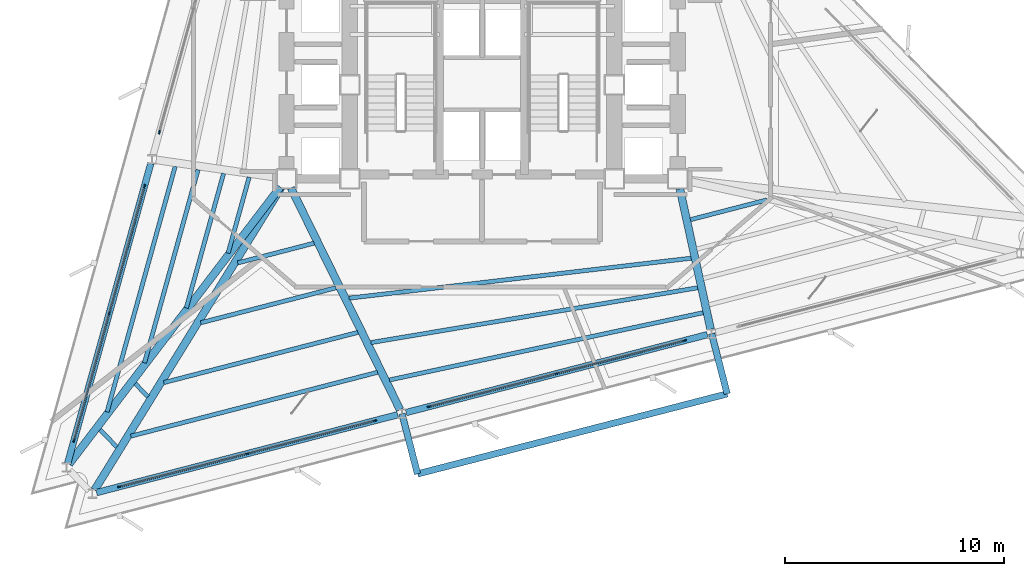
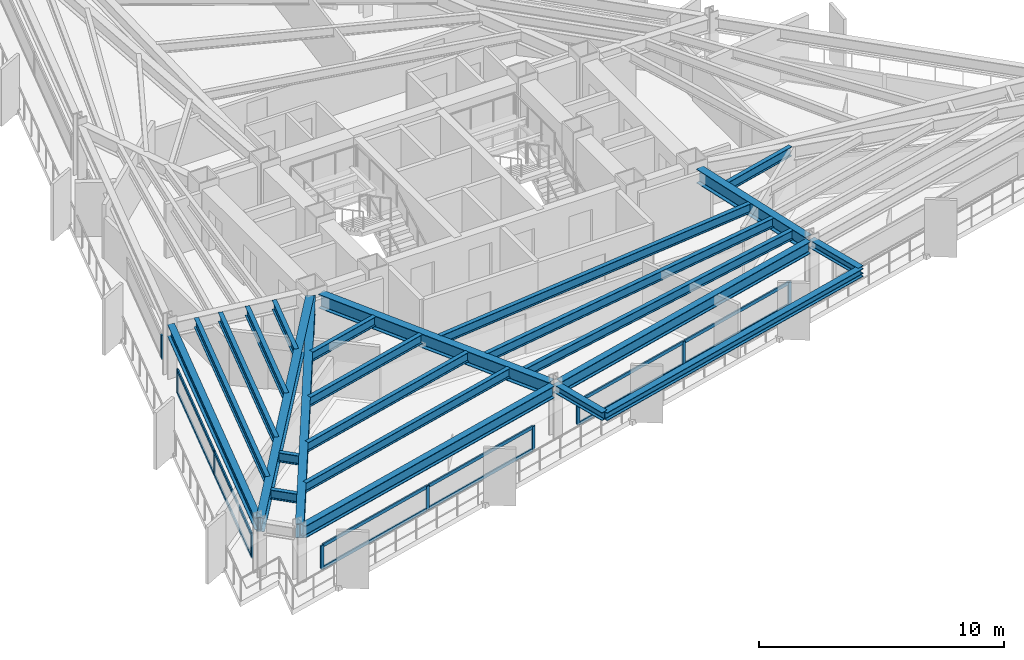
# One storey, part 2 of 11: 24 beams, 22 members, 4 elements without a shape of their own.
"""IFC4 building model written with IfcOpenShell, lengths in metres."""

import ifcopenshell
import ifcopenshell.guid

model = None  # the IFC model being written
_history = None  # IfcOwnerHistory: only IFC2X3 demands one
_inside = {}  # id of a spatial element -> (the spatial element, [elements in it])
_under = {}  # id of a project, library or spatial element -> (it, [spatial elements below it])
_declared = {}  # id of a project -> (the project, [libraries it declares])
_typed = {}  # id of a type object -> (the type object, [elements of that type])
_made_of = {}  # id of a material, layer set ... -> (it, [elements and type objects made of it])


def new_model(schema):
    """Start an empty IFC model of exactly this schema.

    Asked for "IFC4X3", IfcOpenShell would pick the latest addendum, in which some entities
    have other attributes; the version numbers below select the first issue.
    IFC2X3 requires an IfcOwnerHistory on every rooted entity: one is made here for all.
    """
    global model, _history
    if schema == "IFC4X3":
        model = ifcopenshell.file(schema_version=(4, 3, 0, 0))
    else:
        model = ifcopenshell.file(schema=schema)
    _inside.clear()
    _under.clear()
    _declared.clear()
    _typed.clear()
    _made_of.clear()
    _history = None
    if model.schema == "IFC2X3":
        org = make("IfcOrganization", Name="unknown")
        user = make(
            "IfcPersonAndOrganization",
            ThePerson=make("IfcPerson", FamilyName="unknown"),
            TheOrganization=org,
        )
        app = make(
            "IfcApplication",
            ApplicationDeveloper=org,
            Version="unknown",
            ApplicationFullName="unknown",
            ApplicationIdentifier="unknown",
        )
        _history = make(
            "IfcOwnerHistory",
            OwningUser=user,
            OwningApplication=app,
            ChangeAction="ADDED",
            CreationDate=0,
        )
    return model


def make(cls, **values):
    """One entity of the class cls with the attributes given. An attribute that is None is left unset."""
    return model.create_entity(
        cls, **{name: value for name, value in values.items() if value is not None}
    )


def rooted(cls, **values):
    """An entity with a GlobalId (a new one), such as an element, a storey or a relation."""
    return make(cls, GlobalId=ifcopenshell.guid.new(), OwnerHistory=_history, **values)


def si_unit(unit_type, name, prefix=None):
    """IfcSIUnit, for example si_unit("LENGTHUNIT", "METRE", prefix="MILLI")."""
    return make("IfcSIUnit", UnitType=unit_type, Prefix=prefix, Name=name)


def assignment(units):
    """IfcUnitAssignment: the units of a project."""
    return None if units is None else make("IfcUnitAssignment", Units=units)


def point(xyz):
    """IfcCartesianPoint."""
    return None if xyz is None else make("IfcCartesianPoint", Coordinates=xyz)


def direction(xyz):
    """IfcDirection."""
    return None if xyz is None else make("IfcDirection", DirectionRatios=xyz)


def frame(location, z_axis=None, x_axis=None):
    """IfcAxis2Placement3D, a coordinate frame: its origin and axes. An axis left out is left unset."""
    return make(
        "IfcAxis2Placement3D",
        Location=point(location),
        Axis=direction(z_axis),
        RefDirection=direction(x_axis),
    )


def frame_2d(location, x_axis=None):
    """IfcAxis2Placement2D, a coordinate frame in the plane: its origin and x axis."""
    return make(
        "IfcAxis2Placement2D", Location=point(location), RefDirection=direction(x_axis)
    )


def origin():
    """The frame at (0, 0, 0) with its axes left unset."""
    return frame((0.0, 0.0, 0.0))


def origin_2d():
    """The frame at (0, 0) in the plane with its x axis left unset."""
    return frame_2d((0.0, 0.0))


def place(relative_to, where):
    """IfcLocalPlacement: puts the frame where relative to a parent placement (None: the world)."""
    return make(
        "IfcLocalPlacement", PlacementRelTo=relative_to, RelativePlacement=where
    )


def context(
    kind, dimensions, precision=None, world=None, true_north=None, identifier=None
):
    """IfcGeometricRepresentationContext, for example the 3D "Model" context."""
    return make(
        "IfcGeometricRepresentationContext",
        ContextIdentifier=identifier,
        ContextType=kind,
        CoordinateSpaceDimension=dimensions,
        Precision=precision,
        WorldCoordinateSystem=world,
        TrueNorth=true_north,
    )


def subcontext(parent, identifier, kind, view, scale=None):
    """IfcGeometricRepresentationSubContext, for example "Body" below "Model"."""
    return make(
        "IfcGeometricRepresentationSubContext",
        ContextIdentifier=identifier,
        ContextType=kind,
        ParentContext=parent,
        TargetScale=scale,
        TargetView=view,
    )


def project(units=None, contexts=None):
    """IfcProject with its units and contexts."""
    return rooted(
        "IfcProject",
        Name="project",
        RepresentationContexts=contexts,
        UnitsInContext=assignment(units),
    )


def spatial(cls, under=None, at=None, **own):
    """A site, building, storey or space (cls), placed at a placement, below another one or the project."""
    s = rooted(cls, ObjectPlacement=at, **own)
    if under is not None:
        _under.setdefault(under.id(), (under, []))[1].append(s)
    return s


def profile(cls, at=None, kind="AREA", **sizes):
    """A parametric profile (cls). Its sizes go by their IFC names, for example OverallWidth=200.0."""
    return make(cls, ProfileType=kind, Position=at, **sizes)


def rectangle(**sizes):
    """IfcRectangleProfileDef."""
    return profile("IfcRectangleProfileDef", **sizes)


def i_section(**sizes):
    """IfcIShapeProfileDef."""
    return profile("IfcIShapeProfileDef", **sizes)


def extrude(swept, where, along, depth):
    """IfcExtrudedAreaSolid: the profile swept, set in the frame where, extruded along a direction by depth."""
    return make(
        "IfcExtrudedAreaSolid",
        SweptArea=swept,
        Position=where,
        ExtrudedDirection=direction(along),
        Depth=depth,
    )


def shape(context_of_items, identifier, shape_type, items):
    """IfcShapeRepresentation: the items that make up one representation, for example the "Body"."""
    return make(
        "IfcShapeRepresentation",
        ContextOfItems=context_of_items,
        RepresentationIdentifier=identifier,
        RepresentationType=shape_type,
        Items=items,
    )


def material(Name=None, Category=None):
    """IfcMaterial."""
    return make("IfcMaterial", Name=Name, Category=Category)


def layer(
    of_material, thickness, ventilated=None, Name=None, Category=None, Priority=None
):
    """IfcMaterialLayer: one layer of a wall or slab, of a material (None: an air gap)."""
    return make(
        "IfcMaterialLayer",
        Material=of_material,
        LayerThickness=thickness,
        IsVentilated=ventilated,
        Name=Name,
        Category=Category,
        Priority=Priority,
    )


def layer_set(layers, Name=None):
    """IfcMaterialLayerSet."""
    return make("IfcMaterialLayerSet", MaterialLayers=layers, LayerSetName=Name)


def material_profile(
    of_material, cross_section, Name=None, Category=None, Priority=None
):
    """IfcMaterialProfile: a cross section and its material."""
    return make(
        "IfcMaterialProfile",
        Name=Name,
        Material=of_material,
        Profile=cross_section,
        Priority=Priority,
        Category=Category,
    )


def profile_set(profiles, Name=None, composite=None):
    """IfcMaterialProfileSet."""
    return make(
        "IfcMaterialProfileSet",
        Name=Name,
        MaterialProfiles=profiles,
        CompositeProfile=composite,
    )


def made_of(thing, what):
    """Note that an element or type object is made of a material, layer set ...; save() writes the relation."""
    if what is not None:
        _made_of.setdefault(what.id(), (what, []))[1].append(thing)
    return thing


def type_object(cls, material=None, **own):
    """A type object (cls), such as IfcWallType, which elements share."""
    return made_of(rooted(cls, **own), material)


def element(
    cls,
    number,
    at=None,
    inside=None,
    cuts=None,
    type_object=None,
    material=None,
    context=None,
    identifier="Body",
    shape_type=None,
    held_by="IfcProductDefinitionShape",
    body=None,
    shapes=None,
    **own,
):
    """One element of the class cls, such as IfcWall. Its Tag is "e" and its number.

    at: its placement. inside: the storey or other place that contains it. cuts: it is an
    opening in that element (IfcRelVoidsElement). A single representation is given by context,
    identifier, shape_type and body (its items); several are given by shapes. held_by: the class
    of the entity that holds the representations. save() writes the other relations.
    """
    e = rooted(cls, Tag="e%d" % number, ObjectPlacement=at, **own)
    if body is not None:
        shapes = [shape(context, identifier, shape_type, body)]
    if shapes is not None:
        e.Representation = make(held_by, Representations=shapes)
    if inside is not None:
        _inside.setdefault(inside.id(), (inside, []))[1].append(e)
    if cuts is not None:
        rooted(
            "IfcRelVoidsElement", RelatingBuildingElement=cuts, RelatedOpeningElement=e
        )
    if type_object is not None:
        _typed.setdefault(type_object.id(), (type_object, []))[1].append(e)
    return made_of(e, material)


def aggregate(whole, parts):
    """IfcRelAggregates: a whole, such as a stair, and the parts it consists of."""
    return rooted("IfcRelAggregates", RelatingObject=whole, RelatedObjects=parts)


def save(model, path):
    """Write the relations noted so far, then the file.

    IfcRelAggregates (storeys below a building ...), IfcRelContainedInSpatialStructure (elements
    in a storey), IfcRelDefinesByType, IfcRelAssociatesMaterial and IfcRelDeclares: one each for
    every whole, place, type object, material and project.
    """
    for whole, parts in _under.values():
        aggregate(whole, parts)
    for where, things in _inside.values():
        rooted(
            "IfcRelContainedInSpatialStructure",
            RelatedElements=things,
            RelatingStructure=where,
        )
    for kind, things in _typed.values():
        rooted("IfcRelDefinesByType", RelatedObjects=things, RelatingType=kind)
    for what, things in _made_of.values():
        rooted("IfcRelAssociatesMaterial", RelatedObjects=things, RelatingMaterial=what)
    for by, libraries in _declared.values():
        rooted("IfcRelDeclares", RelatingContext=by, RelatedDefinitions=libraries)
    model.write(path)


model = new_model("IFC4")

# Units and contexts
model_context = context("Model", 3, precision=1e-05, world=origin(), true_north=direction((0.0, 1.0)))
body_context = subcontext(model_context, "Body", "Model", "MODEL_VIEW")
ifc_project = project(units=[si_unit("LENGTHUNIT", "METRE"), si_unit("AREAUNIT", "SQUARE_METRE"), si_unit("VOLUMEUNIT", "CUBIC_METRE"), si_unit("PLANEANGLEUNIT", "RADIAN"), si_unit("MASSUNIT", "GRAM", prefix="KILO")], contexts=[model_context])

# Site, building, storey
site_placement = place(None, origin())
site = spatial("IfcSite", under=ifc_project, at=site_placement, CompositionType="ELEMENT")
building_placement = place(site_placement, origin())
building = spatial("IfcBuilding", under=site, at=building_placement, Name="Rocaltana Carrier Exchange", CompositionType="ELEMENT")
storey_placement = place(building_placement, frame((0.0, 0.0, 97.760009765625)))
storey = spatial("IfcBuildingStorey", under=building, at=storey_placement, Name="L30", CompositionType="ELEMENT", Elevation=97.760009765625)

# Curtain wall, member
ifc_material_1 = material(Name="Aluminium 6063-T6", Category="aluminium")
ifc_layer = layer(ifc_material_1, 0.1650390625)
ifc_layer_set = layer_set([ifc_layer], Name="Aluminium 6063-T6")
curtain_wall_type = type_object("IfcCurtainWallType", Name="Lower-Mid Stepped Curtain Wall CW-02", PredefinedType="NOTDEFINED", material=ifc_layer_set)
curtain_wall_1_placement = place(storey_placement, origin())
curtain_wall_1 = element("IfcCurtainWall", 1, at=curtain_wall_1_placement, inside=storey, type_object=curtain_wall_type, Name="L30 CW-02 Run CW-L30-F2S2", PredefinedType="NOTDEFINED")
ifc_material_2 = material(Name="Aluminium 6063-T6", Category="aluminium")
ifc_material_profile_1 = material_profile(ifc_material_2, rectangle(XDim=0.06494140625, YDim=0.1650390625, at=origin_2d()), Name="AL-65X165")
ifc_profile_set_1 = profile_set([ifc_material_profile_1], Name="Aluminium 6063-T6")
member_type_1 = type_object("IfcMemberType", Name="CW-02 Mullion AL-65X165", PredefinedType="MULLION", material=ifc_profile_set_1)
member_1_placement = place(storey_placement, frame((-14.761962890625, -2.16796875, 0.0), z_axis=(0.0, 0.0, 1.0), x_axis=(0.963630586954, -0.267237893807, 0.0)))
member_1 = element("IfcMember", 2, at=member_1_placement, type_object=member_type_1, Name="CW-02 mullion 3", PredefinedType="MULLION", context=body_context, shape_type="SweptSolid", body=[
    extrude(rectangle(XDim=0.06494140625, YDim=0.1650390625, at=origin_2d()), origin(), (0.0, 0.0, 1.0), 1.177978515625),
])
aggregate(curtain_wall_1, [member_1])

# Curtain wall, members
curtain_wall_2_placement = place(storey_placement, origin())
curtain_wall_2 = element("IfcCurtainWall", 3, at=curtain_wall_2_placement, inside=storey, type_object=curtain_wall_type, Name="L30 CW-02 Run CW-L30-F2S3", PredefinedType="NOTDEFINED")
member_2_placement = place(storey_placement, frame((-15.447265625, -4.6396484375, 0.0), z_axis=(0.0, 0.0, 1.0), x_axis=(0.963629053146, -0.267243424491, 0.0)))
member_2 = element("IfcMember", 4, at=member_2_placement, type_object=member_type_1, Name="CW-02 mullion 1", PredefinedType="MULLION", context=body_context, shape_type="SweptSolid", body=[
    extrude(rectangle(XDim=0.06494140625, YDim=0.1650390625, at=origin_2d()), origin(), (0.0, 0.0, 1.0), 1.177978515625),
])
member_3_placement = place(storey_placement, frame((-17.059814453125, -10.45458984375, 0.0), z_axis=(0.0, 0.0, 1.0), x_axis=(0.963629053146, -0.267243424491, 0.0)))
member_3 = element("IfcMember", 5, at=member_3_placement, type_object=member_type_1, Name="CW-02 mullion 2", PredefinedType="MULLION", context=body_context, shape_type="SweptSolid", body=[
    extrude(rectangle(XDim=0.06494140625, YDim=0.1650390625, at=origin_2d()), origin(), (0.0, 0.0, 1.0), 1.177978515625),
])
member_4_placement = place(storey_placement, frame((-18.672607421875, -16.269287109375, 0.0), z_axis=(0.0, 0.0, 1.0), x_axis=(0.963629053146, -0.267243424491, 0.0)))
member_4 = element("IfcMember", 6, at=member_4_placement, type_object=member_type_1, Name="CW-02 mullion 3", PredefinedType="MULLION", context=body_context, shape_type="SweptSolid", body=[
    extrude(rectangle(XDim=0.06494140625, YDim=0.1650390625, at=origin_2d()), origin(), (0.0, 0.0, 1.0), 1.177978515625),
])

curtain_wall_3_placement = place(storey_placement, origin())
curtain_wall_3 = element("IfcCurtainWall", 7, at=curtain_wall_3_placement, inside=storey, type_object=curtain_wall_type, Name="L30 CW-02 Run CW-L30-F3S1", PredefinedType="NOTDEFINED")
member_5_placement = place(storey_placement, frame((-16.592529296875, -18.3857421875, 0.0), z_axis=(0.0, 0.0, 1.0), x_axis=(-0.250377760692, 0.968148220548, 0.0)))
member_5 = element("IfcMember", 8, at=member_5_placement, type_object=member_type_1, Name="CW-02 mullion 1", PredefinedType="MULLION", context=body_context, shape_type="SweptSolid", body=[
    extrude(rectangle(XDim=0.06494140625, YDim=0.1650390625, at=origin_2d()), origin(), (0.0, 0.0, 1.0), 1.177978515625),
])
member_6_placement = place(storey_placement, frame((-10.75048828125, -16.874755859375, 0.0), z_axis=(0.0, 0.0, 1.0), x_axis=(-0.250377760692, 0.968148220548, 0.0)))
member_6 = element("IfcMember", 9, at=member_6_placement, type_object=member_type_1, Name="CW-02 mullion 2", PredefinedType="MULLION", context=body_context, shape_type="SweptSolid", body=[
    extrude(rectangle(XDim=0.06494140625, YDim=0.1650390625, at=origin_2d()), origin(), (0.0, 0.0, 1.0), 1.177978515625),
])
member_7_placement = place(storey_placement, frame((-4.90869140625, -15.364013671875, 0.0), z_axis=(0.0, 0.0, 1.0), x_axis=(-0.250377760692, 0.968148220548, 0.0)))
member_7 = element("IfcMember", 10, at=member_7_placement, type_object=member_type_1, Name="CW-02 mullion 3", PredefinedType="MULLION", context=body_context, shape_type="SweptSolid", body=[
    extrude(rectangle(XDim=0.06494140625, YDim=0.1650390625, at=origin_2d()), origin(), (0.0, 0.0, 1.0), 1.177978515625),
])

curtain_wall_4_placement = place(storey_placement, origin())
curtain_wall_4 = element("IfcCurtainWall", 11, at=curtain_wall_4_placement, inside=storey, type_object=curtain_wall_type, Name="L30 CW-02 Run CW-L30-F3S2", PredefinedType="NOTDEFINED")
member_8_placement = place(storey_placement, frame((-2.42529296875, -14.7216796875, 0.0), z_axis=(0.0, 0.0, 1.0), x_axis=(-0.250377760692, 0.968148220548, 0.0)))
member_8 = element("IfcMember", 12, at=member_8_placement, type_object=member_type_1, Name="CW-02 mullion 1", PredefinedType="MULLION", context=body_context, shape_type="SweptSolid", body=[
    extrude(rectangle(XDim=0.06494140625, YDim=0.1650390625, at=origin_2d()), origin(), (0.0, 0.0, 1.0), 1.177978515625),
])
member_9_placement = place(storey_placement, frame((3.41650390625, -13.2109375, 0.0), z_axis=(0.0, 0.0, 1.0), x_axis=(-0.250377760692, 0.968148220548, 0.0)))
member_9 = element("IfcMember", 13, at=member_9_placement, type_object=member_type_1, Name="CW-02 mullion 2", PredefinedType="MULLION", context=body_context, shape_type="SweptSolid", body=[
    extrude(rectangle(XDim=0.06494140625, YDim=0.1650390625, at=origin_2d()), origin(), (0.0, 0.0, 1.0), 1.177978515625),
])
member_10_placement = place(storey_placement, frame((9.258544921875, -11.7001953125, 0.0), z_axis=(0.0, 0.0, 1.0), x_axis=(-0.250377760692, 0.968148220548, 0.0)))
member_10 = element("IfcMember", 14, at=member_10_placement, type_object=member_type_1, Name="CW-02 mullion 3", PredefinedType="MULLION", context=body_context, shape_type="SweptSolid", body=[
    extrude(rectangle(XDim=0.06494140625, YDim=0.1650390625, at=origin_2d()), origin(), (0.0, 0.0, 1.0), 1.177978515625),
])

# Member
ifc_material_3 = material(Name="Aluminium 6063-T6", Category="aluminium")
ifc_material_profile_2 = material_profile(ifc_material_3, rectangle(XDim=0.06494140625, YDim=0.1650390625, at=origin_2d()), Name="AL-65X165")
ifc_profile_set_2 = profile_set([ifc_material_profile_2], Name="Aluminium 6063-T6")
member_type_2 = type_object("IfcMemberType", Name="CW-02 Transom AL-65X165", PredefinedType="USERDEFINED", material=ifc_profile_set_2)
member_11_placement = place(storey_placement, frame((-15.4560546875, -4.671142578125, 0.032470703125), z_axis=(-0.26724725359, -0.963627991213, 0.0), x_axis=(0.963627991213, -0.26724725359, 0.0)))
member_11 = element("IfcMember", 15, at=member_11_placement, type_object=member_type_2, Name="CW-02 transom 1.1", ObjectType="TRANSOM", PredefinedType="USERDEFINED", context=body_context, shape_type="SweptSolid", body=[
    extrude(rectangle(XDim=0.06494140625, YDim=0.1650390625, at=origin_2d()), origin(), (0.0, 0.0, 1.0), 5.968994140625),
])

member_12_placement = place(storey_placement, frame((-15.4560546875, -4.671142578125, 1.1455078125), z_axis=(-0.26724725359, -0.963627991213, 0.0), x_axis=(0.963627991213, -0.26724725359, 0.0)))
member_12 = element("IfcMember", 16, at=member_12_placement, type_object=member_type_2, Name="CW-02 transom 1.2", ObjectType="TRANSOM", PredefinedType="USERDEFINED", context=body_context, shape_type="SweptSolid", body=[
    extrude(rectangle(XDim=0.06494140625, YDim=0.1650390625, at=origin_2d()), origin(), (0.0, 0.0, 1.0), 5.968994140625),
])

member_13_placement = place(storey_placement, frame((-17.068603515625, -10.48583984375, 0.032470703125), z_axis=(-0.267236720875, -0.963630912235, 0.0), x_axis=(0.963630912235, -0.267236720875, 0.0)))
member_13 = element("IfcMember", 17, at=member_13_placement, type_object=member_type_2, Name="CW-02 transom 2.1", ObjectType="TRANSOM", PredefinedType="USERDEFINED", context=body_context, shape_type="SweptSolid", body=[
    extrude(rectangle(XDim=0.06494140625, YDim=0.1650390625, at=origin_2d()), origin(), (0.0, 0.0, 1.0), 5.96923828125),
])

member_14_placement = place(storey_placement, frame((-17.068603515625, -10.48583984375, 1.1455078125), z_axis=(-0.267236720875, -0.963630912235, 0.0), x_axis=(0.963630912235, -0.267236720875, 0.0)))
member_14 = element("IfcMember", 18, at=member_14_placement, type_object=member_type_2, Name="CW-02 transom 2.2", ObjectType="TRANSOM", PredefinedType="USERDEFINED", context=body_context, shape_type="SweptSolid", body=[
    extrude(rectangle(XDim=0.06494140625, YDim=0.1650390625, at=origin_2d()), origin(), (0.0, 0.0, 1.0), 5.96923828125),
])

aggregate(curtain_wall_2, [member_2, member_3, member_4, member_11, member_12, member_13, member_14])

member_15_placement = place(storey_placement, frame((-16.56103515625, -18.37744140625, 0.032470703125), z_axis=(0.968154945337, 0.250351756175, 0.0), x_axis=(-0.250351756175, 0.968154945337, 0.0)))
member_15 = element("IfcMember", 19, at=member_15_placement, type_object=member_type_2, Name="CW-02 transom 1.1", ObjectType="TRANSOM", PredefinedType="USERDEFINED", context=body_context, shape_type="SweptSolid", body=[
    extrude(rectangle(XDim=0.06494140625, YDim=0.1650390625, at=origin_2d()), origin(), (0.0, 0.0, 1.0), 5.96923828125),
])

member_16_placement = place(storey_placement, frame((-16.56103515625, -18.37744140625, 1.1455078125), z_axis=(0.968154945337, 0.250351756175, 0.0), x_axis=(-0.250351756175, 0.968154945337, 0.0)))
member_16 = element("IfcMember", 20, at=member_16_placement, type_object=member_type_2, Name="CW-02 transom 1.2", ObjectType="TRANSOM", PredefinedType="USERDEFINED", context=body_context, shape_type="SweptSolid", body=[
    extrude(rectangle(XDim=0.06494140625, YDim=0.1650390625, at=origin_2d()), origin(), (0.0, 0.0, 1.0), 5.96923828125),
])

member_17_placement = place(storey_placement, frame((-10.71923828125, -16.86669921875, 0.032470703125), z_axis=(0.968145031253, 0.250390092575, 0.0), x_axis=(-0.250390092575, 0.968145031253, 0.0)))
member_17 = element("IfcMember", 21, at=member_17_placement, type_object=member_type_2, Name="CW-02 transom 2.1", ObjectType="TRANSOM", PredefinedType="USERDEFINED", context=body_context, shape_type="SweptSolid", body=[
    extrude(rectangle(XDim=0.06494140625, YDim=0.1650390625, at=origin_2d()), origin(), (0.0, 0.0, 1.0), 5.96923828125),
])

member_18_placement = place(storey_placement, frame((-10.71923828125, -16.86669921875, 1.1455078125), z_axis=(0.968145031253, 0.250390092575, 0.0), x_axis=(-0.250390092575, 0.968145031253, 0.0)))
member_18 = element("IfcMember", 22, at=member_18_placement, type_object=member_type_2, Name="CW-02 transom 2.2", ObjectType="TRANSOM", PredefinedType="USERDEFINED", context=body_context, shape_type="SweptSolid", body=[
    extrude(rectangle(XDim=0.06494140625, YDim=0.1650390625, at=origin_2d()), origin(), (0.0, 0.0, 1.0), 5.96923828125),
])

aggregate(curtain_wall_3, [member_5, member_6, member_7, member_15, member_16, member_17, member_18])

member_19_placement = place(storey_placement, frame((-2.393798828125, -14.713623046875, 0.032470703125), z_axis=(0.968145031253, 0.250390092575, 0.0), x_axis=(-0.250390092575, 0.968145031253, 0.0)))
member_19 = element("IfcMember", 23, at=member_19_placement, type_object=member_type_2, Name="CW-02 transom 1.1", ObjectType="TRANSOM", PredefinedType="USERDEFINED", context=body_context, shape_type="SweptSolid", body=[
    extrude(rectangle(XDim=0.06494140625, YDim=0.1650390625, at=origin_2d()), origin(), (0.0, 0.0, 1.0), 5.96923828125),
])

member_20_placement = place(storey_placement, frame((-2.393798828125, -14.713623046875, 1.1455078125), z_axis=(0.968145031253, 0.250390092575, 0.0), x_axis=(-0.250390092575, 0.968145031253, 0.0)))
member_20 = element("IfcMember", 24, at=member_20_placement, type_object=member_type_2, Name="CW-02 transom 1.2", ObjectType="TRANSOM", PredefinedType="USERDEFINED", context=body_context, shape_type="SweptSolid", body=[
    extrude(rectangle(XDim=0.06494140625, YDim=0.1650390625, at=origin_2d()), origin(), (0.0, 0.0, 1.0), 5.96923828125),
])

member_21_placement = place(storey_placement, frame((3.447998046875, -13.202880859375, 0.032470703125), z_axis=(0.968145031253, 0.250390092575, 0.0), x_axis=(-0.250390092575, 0.968145031253, 0.0)))
member_21 = element("IfcMember", 25, at=member_21_placement, type_object=member_type_2, Name="CW-02 transom 2.1", ObjectType="TRANSOM", PredefinedType="USERDEFINED", context=body_context, shape_type="SweptSolid", body=[
    extrude(rectangle(XDim=0.06494140625, YDim=0.1650390625, at=origin_2d()), origin(), (0.0, 0.0, 1.0), 5.96923828125),
])

member_22_placement = place(storey_placement, frame((3.447998046875, -13.202880859375, 1.1455078125), z_axis=(0.968145031253, 0.250390092575, 0.0), x_axis=(-0.250390092575, 0.968145031253, 0.0)))
member_22 = element("IfcMember", 26, at=member_22_placement, type_object=member_type_2, Name="CW-02 transom 2.2", ObjectType="TRANSOM", PredefinedType="USERDEFINED", context=body_context, shape_type="SweptSolid", body=[
    extrude(rectangle(XDim=0.06494140625, YDim=0.1650390625, at=origin_2d()), origin(), (0.0, 0.0, 1.0), 5.96923828125),
])

aggregate(curtain_wall_4, [member_8, member_9, member_10, member_19, member_20, member_21, member_22])

# Beams
ifc_material_4 = material(Name="Steel S460", Category="steel")
ifc_material_profile_3 = material_profile(ifc_material_4, i_section(OverallWidth=0.300048828125, OverallDepth=0.39990234375, WebThickness=0.013427734375, FlangeThickness=0.02392578125, FilletRadius=0.027099609375, at=origin_2d()), Name="HEB400")
ifc_profile_set_3 = profile_set([ifc_material_profile_3], Name="Steel S460")
beam_type_1 = type_object("IfcBeamType", Name="Crown Ring Beam HEB400", PredefinedType="BEAM", material=ifc_profile_set_3)
beam_1_placement = place(storey_placement, frame((-3.6669921875, -15.04296875, 2.5), z_axis=(0.250409126341, -0.968140108375, 0.0), x_axis=(0.968140108375, 0.250409126341, 0.0)))
element("IfcBeam", 27, at=beam_1_placement, inside=storey, type_object=beam_type_1, Name="L31 Sky Garden Terrace Bracket 1", PredefinedType="BEAM", context=body_context, shape_type="SweptSolid", body=[
    extrude(i_section(OverallWidth=0.300048828125, OverallDepth=0.39990234375, WebThickness=0.013427734375, FlangeThickness=0.02392578125, FilletRadius=0.027099609375, at=origin_2d()), origin(), (0.0, 0.0, 1.0), 2.849853515625),
])
beam_2_placement = place(storey_placement, frame((10.500244140625, -11.37890625, 2.5), z_axis=(0.250388359287, -0.96814547953, 0.0), x_axis=(0.96814547953, 0.250388359287, 0.0)))
element("IfcBeam", 28, at=beam_2_placement, inside=storey, type_object=beam_type_1, Name="L31 Sky Garden Terrace Bracket 2", PredefinedType="BEAM", context=body_context, shape_type="SweptSolid", body=[
    extrude(i_section(OverallWidth=0.300048828125, OverallDepth=0.39990234375, WebThickness=0.013427734375, FlangeThickness=0.02392578125, FilletRadius=0.027099609375, at=origin_2d()), origin(), (0.0, 0.0, 1.0), 2.85009765625),
])
beam_3_placement = place(storey_placement, frame((-2.953369140625, -17.802001953125, 2.5), z_axis=(0.968148933728, 0.250375002989, 0.0), x_axis=(-0.250375002989, 0.968148933728, 0.0)))
element("IfcBeam", 29, at=beam_3_placement, inside=storey, type_object=beam_type_1, Name="L31 Sky Garden Terrace Edge Header", PredefinedType="BEAM", context=body_context, shape_type="SweptSolid", body=[
    extrude(i_section(OverallWidth=0.300048828125, OverallDepth=0.39990234375, WebThickness=0.013427734375, FlangeThickness=0.02392578125, FilletRadius=0.027099609375, at=origin_2d()), origin(), (0.0, 0.0, 1.0), 14.63330078125),
])
ifc_material_5 = material(Name="Steel S355", Category="steel")
ifc_material_profile_4 = material_profile(ifc_material_5, i_section(OverallWidth=0.193115234375, OverallDepth=0.466064453125, WebThickness=0.011474609375, FlangeThickness=0.01904296875, FilletRadius=0.013916015625, at=origin_2d()), Name="W18X65")
ifc_profile_set_4 = profile_set([ifc_material_profile_4], Name="Steel S355")
beam_type_2 = type_object("IfcBeamType", Name="Floor Joist W18X65", PredefinedType="JOIST", material=ifc_profile_set_4)
beam_4_placement = place(storey_placement, frame((-10.65771484375, -4.223388671875, 2.485107421875), z_axis=(-0.267214572506, -0.963637054207, 0.0), x_axis=(0.963637054207, -0.267214572506, 0.0)))
element("IfcBeam", 30, at=beam_4_placement, inside=storey, type_object=beam_type_2, Name="FJ-L30-07-1", PredefinedType="JOIST", context=body_context, shape_type="SweptSolid", body=[
    extrude(i_section(OverallWidth=0.193115234375, OverallDepth=0.466064453125, WebThickness=0.011474609375, FlangeThickness=0.01904296875, FilletRadius=0.013916015625, at=origin_2d()), origin(), (0.0, 0.0, 1.0), 3.60791015625),
])
beam_5_placement = place(storey_placement, frame((-11.826904296875, -4.052978515625, 2.485107421875), z_axis=(-0.267247660275, -0.963627878425, 0.0), x_axis=(0.963627878425, -0.267247660275, 0.0)))
element("IfcBeam", 31, at=beam_5_placement, inside=storey, type_object=beam_type_2, Name="FJ-L30-07-2", PredefinedType="JOIST", context=body_context, shape_type="SweptSolid", body=[
    extrude(i_section(OverallWidth=0.193115234375, OverallDepth=0.466064453125, WebThickness=0.011474609375, FlangeThickness=0.01904296875, FilletRadius=0.013916015625, at=origin_2d()), origin(), (0.0, 0.0, 1.0), 6.388427734375),
])
beam_6_placement = place(storey_placement, frame((-12.996337890625, -3.8828125, 2.485107421875), z_axis=(-0.267235954776, -0.963631124692, 0.0), x_axis=(0.963631124692, -0.267235954776, 0.0)))
element("IfcBeam", 32, at=beam_6_placement, inside=storey, type_object=beam_type_2, Name="FJ-L30-07-3", PredefinedType="JOIST", context=body_context, shape_type="SweptSolid", body=[
    extrude(i_section(OverallWidth=0.193115234375, OverallDepth=0.466064453125, WebThickness=0.011474609375, FlangeThickness=0.01904296875, FilletRadius=0.013916015625, at=origin_2d()), origin(), (0.0, 0.0, 1.0), 9.168701171875),
])
beam_7_placement = place(storey_placement, frame((-14.04248046875, -3.73046875, 2.485107421875), z_axis=(-0.267254953873, -0.963625855626, 0.0), x_axis=(0.963625855626, -0.267254953873, 0.0)))
element("IfcBeam", 33, at=beam_7_placement, inside=storey, type_object=beam_type_2, Name="FJ-L30-07-4", PredefinedType="JOIST", context=body_context, shape_type="SweptSolid", body=[
    extrude(i_section(OverallWidth=0.193115234375, OverallDepth=0.466064453125, WebThickness=0.011474609375, FlangeThickness=0.01904296875, FilletRadius=0.013916015625, at=origin_2d()), origin(), (0.0, 0.0, 1.0), 11.656494140625),
])
beam_8_placement = place(storey_placement, frame((-15.87548828125, -13.666015625, 2.485107421875), z_axis=(0.700949450069, -0.713210956484, 0.0), x_axis=(0.713210956484, 0.700949450069, 0.0)))
element("IfcBeam", 34, at=beam_8_placement, inside=storey, type_object=beam_type_2, Name="FJ-L30-08-3", PredefinedType="JOIST", context=body_context, shape_type="SweptSolid", body=[
    extrude(i_section(OverallWidth=0.193115234375, OverallDepth=0.466064453125, WebThickness=0.011474609375, FlangeThickness=0.01904296875, FilletRadius=0.013916015625, at=origin_2d()), origin(), (0.0, 0.0, 1.0), 0.836181640625),
])
beam_9_placement = place(storey_placement, frame((-17.48583984375, -15.77880859375, 2.485107421875), z_axis=(0.70100898123, -0.713152443896, 0.0), x_axis=(0.713152443896, 0.70100898123, 0.0)))
element("IfcBeam", 35, at=beam_9_placement, inside=storey, type_object=beam_type_2, Name="FJ-L30-08-4", PredefinedType="JOIST", context=body_context, shape_type="SweptSolid", body=[
    extrude(i_section(OverallWidth=0.193115234375, OverallDepth=0.466064453125, WebThickness=0.011474609375, FlangeThickness=0.01904296875, FilletRadius=0.013916015625, at=origin_2d()), origin(), (0.0, 0.0, 1.0), 1.105712890625),
])
beam_10_placement = place(storey_placement, frame((-11.1826171875, -8.14697265625, 2.485107421875), z_axis=(0.968131920636, 0.250440779917, 0.0), x_axis=(-0.250440779917, 0.968131920636, 0.0)))
element("IfcBeam", 36, at=beam_10_placement, inside=storey, type_object=beam_type_2, Name="FJ-L30-09-1", PredefinedType="JOIST", context=body_context, shape_type="SweptSolid", body=[
    extrude(i_section(OverallWidth=0.193115234375, OverallDepth=0.466064453125, WebThickness=0.011474609375, FlangeThickness=0.01904296875, FilletRadius=0.013916015625, at=origin_2d()), origin(), (0.0, 0.0, 1.0), 3.60791015625),
])
beam_11_placement = place(storey_placement, frame((-12.87060546875, -10.88427734375, 2.485107421875), z_axis=(0.968143557315, 0.250395791558, 0.0), x_axis=(-0.250395791558, 0.968143557315, 0.0)))
element("IfcBeam", 37, at=beam_11_placement, inside=storey, type_object=beam_type_2, Name="FJ-L30-09-2", PredefinedType="JOIST", context=body_context, shape_type="SweptSolid", body=[
    extrude(i_section(OverallWidth=0.193115234375, OverallDepth=0.466064453125, WebThickness=0.011474609375, FlangeThickness=0.01904296875, FilletRadius=0.013916015625, at=origin_2d()), origin(), (0.0, 0.0, 1.0), 6.388427734375),
])
beam_12_placement = place(storey_placement, frame((-14.55859375, -13.62158203125, 2.485107421875), z_axis=(0.968140011266, 0.250409501786, 0.0), x_axis=(-0.250409501786, 0.968140011266, 0.0)))
element("IfcBeam", 38, at=beam_12_placement, inside=storey, type_object=beam_type_2, Name="FJ-L30-09-3", PredefinedType="JOIST", context=body_context, shape_type="SweptSolid", body=[
    extrude(i_section(OverallWidth=0.193115234375, OverallDepth=0.466064453125, WebThickness=0.011474609375, FlangeThickness=0.01904296875, FilletRadius=0.013916015625, at=origin_2d()), origin(), (0.0, 0.0, 1.0), 9.16845703125),
])
beam_13_placement = place(storey_placement, frame((-16.069091796875, -16.070556640625, 2.485107421875), z_axis=(0.968149362607, 0.250373344596, 0.0), x_axis=(-0.250373344596, 0.968149362607, 0.0)))
element("IfcBeam", 39, at=beam_13_placement, inside=storey, type_object=beam_type_2, Name="FJ-L30-09-4", PredefinedType="JOIST", context=body_context, shape_type="SweptSolid", body=[
    extrude(i_section(OverallWidth=0.193115234375, OverallDepth=0.466064453125, WebThickness=0.011474609375, FlangeThickness=0.01904296875, FilletRadius=0.013916015625, at=origin_2d()), origin(), (0.0, 0.0, 1.0), 11.656494140625),
])
beam_14_placement = place(storey_placement, frame((-6.085205078125, -9.759033203125, 2.485107421875), z_axis=(0.993245745527, 0.116029690132, 0.0), x_axis=(-0.116029690132, 0.993245745527, 0.0)))
element("IfcBeam", 40, at=beam_14_placement, inside=storey, type_object=beam_type_2, Name="FJ-L30-10-2", PredefinedType="JOIST", context=body_context, shape_type="SweptSolid", body=[
    extrude(i_section(OverallWidth=0.193115234375, OverallDepth=0.466064453125, WebThickness=0.011474609375, FlangeThickness=0.01904296875, FilletRadius=0.013916015625, at=origin_2d()), origin(), (0.0, 0.0, 1.0), 15.761962890625),
])
beam_15_placement = place(storey_placement, frame((-5.082763671875, -11.791748046875, 2.485107421875), z_axis=(0.986215738721, 0.165464548161, 0.0), x_axis=(-0.165464548161, 0.986215738721, 0.0)))
element("IfcBeam", 41, at=beam_15_placement, inside=storey, type_object=beam_type_2, Name="FJ-L30-10-3", PredefinedType="JOIST", context=body_context, shape_type="SweptSolid", body=[
    extrude(i_section(OverallWidth=0.193115234375, OverallDepth=0.466064453125, WebThickness=0.011474609375, FlangeThickness=0.01904296875, FilletRadius=0.013916015625, at=origin_2d()), origin(), (0.0, 0.0, 1.0), 15.15771484375),
])
beam_16_placement = place(storey_placement, frame((-4.239013671875, -13.5029296875, 2.485107421875), z_axis=(0.977758587701, 0.209733507519, 0.0), x_axis=(-0.209733507519, 0.977758587701, 0.0)))
element("IfcBeam", 42, at=beam_16_placement, inside=storey, type_object=beam_type_2, Name="FJ-L30-10-4", PredefinedType="JOIST", context=body_context, shape_type="SweptSolid", body=[
    extrude(i_section(OverallWidth=0.193115234375, OverallDepth=0.466064453125, WebThickness=0.011474609375, FlangeThickness=0.01904296875, FilletRadius=0.013916015625, at=origin_2d()), origin(), (0.0, 0.0, 1.0), 14.680908203125),
])
beam_17_placement = place(storey_placement, frame((9.53466796875, -6.16845703125, 2.485107421875), z_axis=(0.968131920636, 0.250440779917, 0.0), x_axis=(-0.250440779917, 0.968131920636, 0.0)))
element("IfcBeam", 43, at=beam_17_placement, inside=storey, type_object=beam_type_2, Name="FJ-L30-11-1", PredefinedType="JOIST", context=body_context, shape_type="SweptSolid", body=[
    extrude(i_section(OverallWidth=0.193115234375, OverallDepth=0.466064453125, WebThickness=0.011474609375, FlangeThickness=0.01904296875, FilletRadius=0.013916015625, at=origin_2d()), origin(), (0.0, 0.0, 1.0), 3.60791015625),
])
ifc_material_6 = material(Name="Steel S355", Category="steel")
ifc_material_profile_5 = material_profile(ifc_material_6, i_section(OverallWidth=0.35498046875, OverallDepth=0.695068359375, WebThickness=0.015380859375, FlangeThickness=0.02490234375, FilletRadius=0.01806640625, at=origin_2d()), Name="W27X146")
ifc_profile_set_5 = profile_set([ifc_material_profile_5], Name="Steel S355")
beam_type_3 = type_object("IfcBeamType", Name="Radial Girder W27X146", PredefinedType="BEAM", material=ifc_profile_set_5)
beam_18_placement = place(storey_placement, frame((-9.233154296875, -4.67138671875, 2.37060546875), z_axis=(-0.606201959284, -0.795310747168, 0.0), x_axis=(0.795310747168, -0.606201959284, 0.0)))
element("IfcBeam", 44, at=beam_18_placement, inside=storey, type_object=beam_type_3, Name="RG-L30-08", PredefinedType="BEAM", context=body_context, shape_type="SweptSolid", body=[
    extrude(i_section(OverallWidth=0.35498046875, OverallDepth=0.695068359375, WebThickness=0.015380859375, FlangeThickness=0.02490234375, FilletRadius=0.01806640625, at=origin_2d()), origin(), (0.0, 0.0, 1.0), 15.938720703125),
])
beam_19_placement = place(storey_placement, frame((-9.195068359375, -4.697509765625, 2.37060546875), z_axis=(-0.52488797783, -0.851171316909, 0.0), x_axis=(0.851171316909, -0.52488797783, 0.0)))
element("IfcBeam", 45, at=beam_19_placement, inside=storey, type_object=beam_type_3, Name="RG-L30-09", PredefinedType="BEAM", context=body_context, shape_type="SweptSolid", body=[
    extrude(i_section(OverallWidth=0.35498046875, OverallDepth=0.695068359375, WebThickness=0.015380859375, FlangeThickness=0.02490234375, FilletRadius=0.01806640625, at=origin_2d()), origin(), (0.0, 0.0, 1.0), 16.260986328125),
])
beam_20_placement = place(storey_placement, frame((-8.743896484375, -4.718994140625, 2.37060546875), z_axis=(0.441287446222, -0.897365806016, 0.0), x_axis=(0.897365806016, 0.441287446222, 0.0)))
element("IfcBeam", 46, at=beam_20_placement, inside=storey, type_object=beam_type_3, Name="RG-L30-10", PredefinedType="BEAM", context=body_context, shape_type="SweptSolid", body=[
    extrude(i_section(OverallWidth=0.35498046875, OverallDepth=0.695068359375, WebThickness=0.015380859375, FlangeThickness=0.02490234375, FilletRadius=0.01806640625, at=origin_2d()), origin(), (0.0, 0.0, 1.0), 11.306640625),
])
beam_21_placement = place(storey_placement, frame((9.0498046875, -4.756103515625, 2.37060546875), z_axis=(0.213917013251, -0.976851836996, 0.0), x_axis=(0.976851836996, 0.213917013251, 0.0)))
element("IfcBeam", 47, at=beam_21_placement, inside=storey, type_object=beam_type_3, Name="RG-L30-11", PredefinedType="BEAM", context=body_context, shape_type="SweptSolid", body=[
    extrude(i_section(OverallWidth=0.35498046875, OverallDepth=0.695068359375, WebThickness=0.015380859375, FlangeThickness=0.02490234375, FilletRadius=0.01806640625, at=origin_2d()), origin(), (0.0, 0.0, 1.0), 6.581787109375),
])
ifc_material_7 = material(Name="Steel S355", Category="steel")
ifc_material_profile_6 = material_profile(ifc_material_7, i_section(OverallWidth=0.300048828125, OverallDepth=0.60009765625, WebThickness=0.015380859375, FlangeThickness=0.030029296875, FilletRadius=0.027099609375, at=origin_2d()), Name="HEB600")
ifc_profile_set_6 = profile_set([ifc_material_profile_6], Name="Steel S355")
beam_type_4 = type_object("IfcBeamType", Name="Spandrel Edge Beam HEB600", PredefinedType="SPANDREL", material=ifc_profile_set_6)
for number, where, z_axis, x_axis, name in (
    (48, (-15.157470703125, -3.5947265625, 2.41796875), (-0.26725027467, -0.963627153358, 0.0), (0.963627153358, -0.26725027467, 0.0), "SP-L30-07"),
    (49, (-17.642578125, -18.6572265625, 2.41796875), (0.968148846625, 0.250375339797, 0.0), (-0.250375339797, 0.968148846625, 0.0), "SP-L30-09"),
    (50, (-3.475341796875, -14.993408203125, 2.41796875), (0.968148846625, 0.250375339797, 0.0), (-0.250375339797, 0.968148846625, 0.0), "SP-L30-10"),
):
    element("IfcBeam", number, at=place(storey_placement, frame(where, z_axis=z_axis, x_axis=x_axis)), inside=storey, type_object=beam_type_4, Name=name, PredefinedType="SPANDREL", context=body_context, shape_type="SweptSolid", body=[
        extrude(i_section(OverallWidth=0.300048828125, OverallDepth=0.60009765625, WebThickness=0.015380859375, FlangeThickness=0.030029296875, FilletRadius=0.027099609375, at=origin_2d()), origin(), (0.0, 0.0, 1.0), 14.2373046875),
    ])

save(model, "model.ifc")
